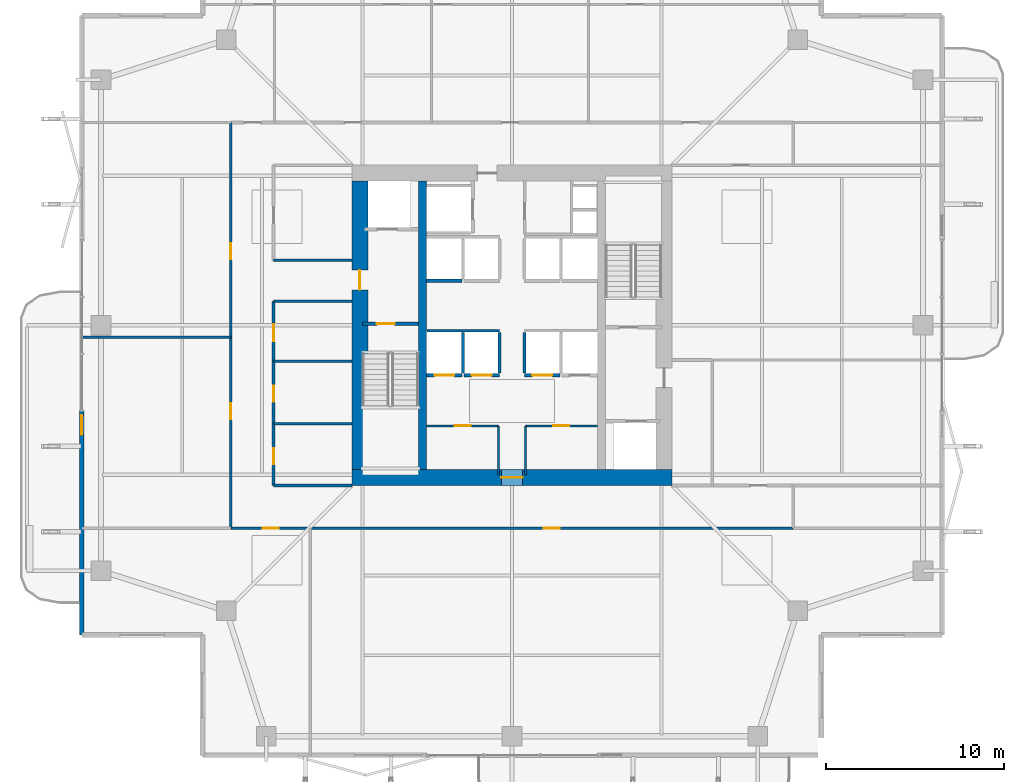
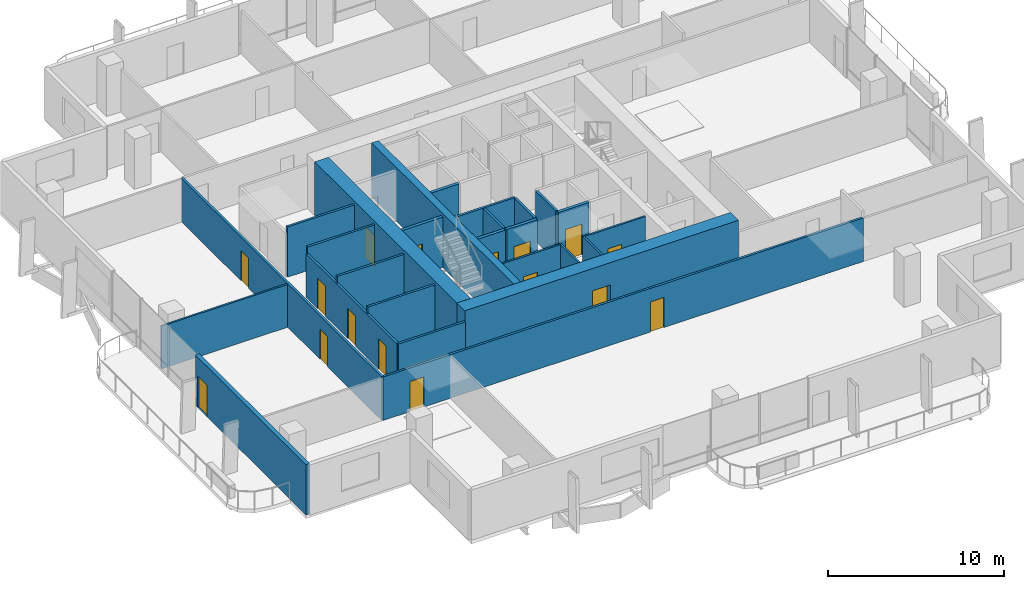
# One storey, part 18 of 24: 26 walls, 16 doors, 16 openings.
"""IFC4 building model written with IfcOpenShell, lengths in metres."""

from ifc_helpers import new_model, si_unit, direction, frame, frame_2d, origin, place, context, subcontext, project, spatial, rectangle, extrude, material, layer, layer_set, type_object, element, fill, save


model = new_model("IFC4")

# Units and contexts
model_context = context("Model", 3, precision=1e-05, world=origin(), true_north=direction((0.0, 1.0)))
body_context = subcontext(model_context, "Body", "Model", "MODEL_VIEW")
ifc_project = project(units=[si_unit("LENGTHUNIT", "METRE"), si_unit("AREAUNIT", "SQUARE_METRE"), si_unit("VOLUMEUNIT", "CUBIC_METRE"), si_unit("PLANEANGLEUNIT", "RADIAN"), si_unit("MASSUNIT", "GRAM", prefix="KILO")], contexts=[model_context])

# Site, building, storey
site_placement = place(None, origin())
site = spatial("IfcSite", under=ifc_project, at=site_placement, CompositionType="ELEMENT")
building_placement = place(site_placement, origin())
building = spatial("IfcBuilding", under=site, at=building_placement, Name="Belovzor Exchange Tower", CompositionType="ELEMENT")
storey_placement = place(building_placement, frame((0.0, 0.0, 145.800048828125)))
storey = spatial("IfcBuildingStorey", under=building, at=storey_placement, Name="L35", CompositionType="ELEMENT", Elevation=145.800048828125)

# Wall
ifc_material_1 = material(Name="Acoustic Plasterboard on Galvanised Studs", Category="gypsum")
ifc_layer_1 = layer(ifc_material_1, 0.1201171875)
ifc_layer_set_1 = layer_set([ifc_layer_1], Name="Acoustic Plasterboard on Galvanised Studs")
wall_type_1 = type_object("IfcWallType", Name="Acoustic Double-Stud Partition Wall 120", PredefinedType="PARTITIONING", material=ifc_layer_set_1)
wall_1_placement = place(storey_placement, frame((4.6298828125, 28.1298828125, 0.0), z_axis=(0.0, 0.0, 1.0), x_axis=(1.0, 0.0, 0.0)))
element("IfcWall", 1, at=wall_1_placement, inside=storey, type_object=wall_type_1, Name="W-P120 Partition Wall W-L35-WDIV-1", PredefinedType="PARTITIONING", context=body_context, shape_type="SweptSolid", body=[
    extrude(rectangle(XDim=8.3701171875, YDim=0.1201171875, at=frame_2d((4.18505859375, 0.0))), origin(), (0.0, 0.0, 1.0), 2.97998046875),
])

# Wall, opening, door
ifc_material_2 = material(Name="Fire-Rated Plasterboard on Galvanised Studs", Category="gypsum")
ifc_layer_2 = layer(ifc_material_2, 0.1201171875)
ifc_layer_set_2 = layer_set([ifc_layer_2], Name="Fire-Rated Plasterboard on Galvanised Studs")
wall_type_2 = type_object("IfcWallType", Name="Fire-Rated Double-Stud Partition Wall 120", PredefinedType="PARTITIONING", material=ifc_layer_set_2)
wall_2_placement = place(storey_placement, frame((24.0, 23.14990234375, 0.0), z_axis=(0.0, 0.0, 1.0), x_axis=(1.0, 0.0, 0.0)))
wall_2 = element("IfcWall", 2, at=wall_2_placement, inside=storey, type_object=wall_type_2, Name="W-P120F Partition Wall W-CRL-L35-WN", PredefinedType="PARTITIONING", context=body_context, shape_type="SweptSolid", body=[
    extrude(rectangle(XDim=4.050048828125, YDim=0.1201171875, at=frame_2d((2.02490234375, 0.0))), origin(), (0.0, 0.0, 1.0), 3.494873046875),
])
opening_1_placement = place(wall_2_placement, frame((1.574951171875, 0.0, 0.0)))
opening_1 = element("IfcOpeningElement", 3, at=opening_1_placement, cuts=wall_2, Name="Opening D-FD60-090", PredefinedType="OPENING", context=body_context, shape_type="SweptSolid", body=[
    extrude(rectangle(XDim=0.89990234375, YDim=2.10009765625, at=frame_2d((0.449951171875, 1.050048828125))), frame((0.0, 0.070068359375, 0.0), z_axis=(0.0, -1.0, 0.0), x_axis=(1.0, 0.0, 0.0)), (0.0, 0.0, 1.0), 0.14013671875),
])
ifc_material_3 = material(Name="Acoustic Timber Fire Leaf", Category="wood")
door_type_1 = type_object("IfcDoorType", Name="Core Service & Restroom Fire Door 900x2100", OperationType="NOTDEFINED", PredefinedType="DOOR", material=ifc_material_3)
door_1_placement = place(opening_1_placement, origin())
door_1 = element("IfcDoor", 4, at=door_1_placement, inside=storey, type_object=door_type_1, Name="D-FD60-090 Core Service & Restroom Fire Door 900x2100", OperationType="SINGLE_SWING_LEFT", OverallHeight=2.10009765625, OverallWidth=0.89990234375, PredefinedType="DOOR", context=body_context, shape_type="SweptSolid", body=[
    extrude(rectangle(XDim=0.89990234375, YDim=2.10009765625, at=frame_2d((0.449951171875, 1.050048828125))), frame((0.0, 0.02490234375, 0.0), z_axis=(0.0, -1.0, 0.0), x_axis=(1.0, 0.0, 0.0)), (0.0, 0.0, 1.0), 0.050048828125),
])
fill(opening_1, door_1)

# Wall
wall_3_placement = place(storey_placement, frame((28.050048828125, 20.39990234375, 0.0), z_axis=(0.0, 0.0, 1.0), x_axis=(0.0, 1.0, 0.0)))
element("IfcWall", 5, at=wall_3_placement, inside=storey, type_object=wall_type_2, Name="W-P120F Partition Wall W-CRL-L35-WE", PredefinedType="PARTITIONING", context=body_context, shape_type="SweptSolid", body=[
    extrude(rectangle(XDim=2.75, YDim=0.1201171875, at=frame_2d((1.375, 0.0))), origin(), (0.0, 0.0, 1.0), 3.494873046875),
])

# Wall, opening, door
wall_4_placement = place(storey_placement, frame((29.550048828125, 23.14990234375, 0.0), z_axis=(0.0, 0.0, 1.0), x_axis=(1.0, 0.0, 0.0)))
wall_4 = element("IfcWall", 6, at=wall_4_placement, inside=storey, type_object=wall_type_2, Name="W-P120F Partition Wall W-CRL-L35-EN", PredefinedType="PARTITIONING", context=body_context, shape_type="SweptSolid", body=[
    extrude(rectangle(XDim=4.050048828125, YDim=0.1201171875, at=frame_2d((2.02490234375, 0.0))), origin(), (0.0, 0.0, 1.0), 3.494873046875),
])
opening_2_placement = place(wall_4_placement, frame((1.574951171875, 0.0, 0.0)))
opening_2 = element("IfcOpeningElement", 7, at=opening_2_placement, cuts=wall_4, Name="Opening D-FD60-090", PredefinedType="OPENING", context=body_context, shape_type="SweptSolid", body=[
    extrude(rectangle(XDim=0.89990234375, YDim=2.10009765625, at=frame_2d((0.449951171875, 1.050048828125))), frame((0.0, 0.070068359375, 0.0), z_axis=(0.0, -1.0, 0.0), x_axis=(1.0, 0.0, 0.0)), (0.0, 0.0, 1.0), 0.14013671875),
])
door_2_placement = place(opening_2_placement, origin())
door_2 = element("IfcDoor", 8, at=door_2_placement, inside=storey, type_object=door_type_1, Name="D-FD60-090 Core Service & Restroom Fire Door 900x2100", OperationType="SINGLE_SWING_RIGHT", OverallHeight=2.10009765625, OverallWidth=0.89990234375, PredefinedType="DOOR", context=body_context, shape_type="SweptSolid", body=[
    extrude(rectangle(XDim=0.89990234375, YDim=2.10009765625, at=frame_2d((0.449951171875, 1.050048828125))), frame((0.0, 0.02490234375, 0.0), z_axis=(0.0, -1.0, 0.0), x_axis=(1.0, 0.0, 0.0)), (0.0, 0.0, 1.0), 0.050048828125),
])
fill(opening_2, door_2)

# Walls
wall_5_placement = place(storey_placement, frame((29.550048828125, 20.39990234375, 0.0), z_axis=(0.0, 0.0, 1.0), x_axis=(0.0, 1.0, 0.0)))
element("IfcWall", 9, at=wall_5_placement, inside=storey, type_object=wall_type_2, Name="W-P120F Partition Wall W-CRL-L35-EW", PredefinedType="PARTITIONING", context=body_context, shape_type="SweptSolid", body=[
    extrude(rectangle(XDim=2.75, YDim=0.1201171875, at=frame_2d((1.375, 0.0))), origin(), (0.0, 0.0, 1.0), 3.494873046875),
])
ifc_material_4 = material(Name="Fire-Rated Gypsum Block and Mineral Wool", Category="gypsum")
ifc_layer_3 = layer(ifc_material_4, 0.14990234375)
ifc_layer_set_3 = layer_set([ifc_layer_3], Name="Fire-Rated Gypsum Block and Mineral Wool")
wall_type_3 = type_object("IfcWallType", Name="Fire-Rated Gypsum Block Corridor Wall 150", PredefinedType="PARTITIONING", material=ifc_layer_set_3)
wall_6_placement = place(storey_placement, frame((15.39990234375, 19.800048828125, 0.0), z_axis=(0.0, 0.0, 1.0), x_axis=(1.0, 0.0, 0.0)))
element("IfcWall", 10, at=wall_6_placement, inside=storey, type_object=wall_type_3, Name="W-P150 Partition Wall W-L35-WIC-S", PredefinedType="PARTITIONING", context=body_context, shape_type="SweptSolid", body=[
    extrude(rectangle(XDim=4.400146484375, YDim=0.14990234375, at=frame_2d((2.2001953125, 0.0))), origin(), (0.0, 0.0, 1.0), 3.030029296875),
])
for number, where, z_axis, x_axis, name in (
    (11, (15.39990234375, 23.27490234375, 0.0), (0.0, 0.0, 1.0), (1.0, 0.0, 0.0), "W-P150 Partition Wall W-L35-WIC-D1"),
    (12, (15.39990234375, 26.77490234375, 0.0), (0.0, 0.0, 1.0), (1.0, 0.0, 0.0), "W-P150 Partition Wall W-L35-WIC-D2"),
    (13, (15.39990234375, 30.14990234375, 0.0), (0.0, 0.0, 1.0), (1.0, 0.0, 0.0), "W-P150 Partition Wall W-L35-WIC-N"),
    (14, (15.39990234375, 32.449951171875, 0.0), (0.0, 0.0, 1.0), (1.0, 0.0, 0.0), "W-P150 Partition Wall W-L35-CFW-N"),
):
    element("IfcWall", number, at=place(storey_placement, frame(where, z_axis=z_axis, x_axis=x_axis)), inside=storey, type_object=wall_type_3, Name=name, PredefinedType="PARTITIONING", context=body_context, shape_type="SweptSolid", body=[
        extrude(rectangle(XDim=4.400146484375, YDim=0.14990234375, at=frame_2d((2.2001953125, 0.0))), origin(), (0.0, 0.0, 1.0), 3.494873046875),
    ])

# Wall, openings, doors
wall_7_placement = place(storey_placement, frame((15.39990234375, 19.800048828125, 0.0), z_axis=(0.0, 0.0, 1.0), x_axis=(0.0, 1.0, 0.0)))
wall_7 = element("IfcWall", 15, at=wall_7_placement, inside=storey, type_object=wall_type_3, Name="W-P150 Partition Wall W-L35-WIE-S", PredefinedType="PARTITIONING", context=body_context, shape_type="SweptSolid", body=[
    extrude(rectangle(XDim=10.349853515625, YDim=0.14990234375, at=frame_2d((5.1748046875, 0.0))), origin(), (0.0, 0.0, 1.0), 3.030029296875),
])
opening_3_placement = place(wall_7_placement, frame((1.199951171875, 0.0, 0.0)))
opening_3 = element("IfcOpeningElement", 16, at=opening_3_placement, cuts=wall_7, Name="Opening D-FD60-090", PredefinedType="OPENING", context=body_context, shape_type="SweptSolid", body=[
    extrude(rectangle(XDim=0.89990234375, YDim=2.10009765625, at=frame_2d((0.449951171875, 1.050048828125))), frame((0.0, 0.0849609375, 0.0), z_axis=(0.0, -1.0, 0.0), x_axis=(1.0, 0.0, 0.0)), (0.0, 0.0, 1.0), 0.169921875),
])
opening_4_placement = place(wall_7_placement, frame((4.699951171875, 0.0, 0.0)))
opening_4 = element("IfcOpeningElement", 17, at=opening_4_placement, cuts=wall_7, Name="Opening D-FD60-090", PredefinedType="OPENING", context=body_context, shape_type="SweptSolid", body=[
    extrude(rectangle(XDim=0.89990234375, YDim=2.10009765625, at=frame_2d((0.449951171875, 1.050048828125))), frame((0.0, 0.0849609375, 0.0), z_axis=(0.0, -1.0, 0.0), x_axis=(1.0, 0.0, 0.0)), (0.0, 0.0, 1.0), 0.169921875),
])
opening_5_placement = place(wall_7_placement, frame((8.10009765625, 0.0, 0.0)))
opening_5 = element("IfcOpeningElement", 18, at=opening_5_placement, cuts=wall_7, Name="Opening D-FD60-095", PredefinedType="OPENING", context=body_context, shape_type="SweptSolid", body=[
    extrude(rectangle(XDim=0.949951171875, YDim=2.10009765625, at=frame_2d((0.47509765625, 1.050048828125))), frame((0.0, 0.0849609375, 0.0), z_axis=(0.0, -1.0, 0.0), x_axis=(1.0, 0.0, 0.0)), (0.0, 0.0, 1.0), 0.169921875),
])
ifc_material_5 = material(Name="Moisture-Resistant Timber Fire Leaf", Category="wood")
door_type_2 = type_object("IfcDoorType", Name="Accessible Restroom Wide Fire Door 950x2100", OperationType="NOTDEFINED", PredefinedType="DOOR", material=ifc_material_5)
door_3_placement = place(opening_5_placement, origin())
door_3 = element("IfcDoor", 19, at=door_3_placement, inside=storey, type_object=door_type_2, Name="D-FD60-095 Accessible Restroom Wide Fire Door 950x2100", OperationType="SINGLE_SWING_LEFT", OverallHeight=2.10009765625, OverallWidth=0.949951171875, PredefinedType="DOOR", context=body_context, shape_type="SweptSolid", body=[
    extrude(rectangle(XDim=0.949951171875, YDim=2.10009765625, at=frame_2d((0.47509765625, 1.050048828125))), frame((0.0, 0.02490234375, 0.0), z_axis=(0.0, -1.0, 0.0), x_axis=(1.0, 0.0, 0.0)), (0.0, 0.0, 1.0), 0.050048828125),
])
fill(opening_5, door_3)
door_4_placement = place(opening_3_placement, origin())
door_4 = element("IfcDoor", 20, at=door_4_placement, inside=storey, type_object=door_type_1, Name="D-FD60-090 Core Service & Restroom Fire Door 900x2100", OperationType="SINGLE_SWING_LEFT", OverallHeight=2.10009765625, OverallWidth=0.89990234375, PredefinedType="DOOR", context=body_context, shape_type="SweptSolid", body=[
    extrude(rectangle(XDim=0.89990234375, YDim=2.10009765625, at=frame_2d((0.449951171875, 1.050048828125))), frame((0.0, 0.02490234375, 0.0), z_axis=(0.0, -1.0, 0.0), x_axis=(1.0, 0.0, 0.0)), (0.0, 0.0, 1.0), 0.050048828125),
])
fill(opening_3, door_4)
door_5_placement = place(opening_4_placement, origin())
door_5 = element("IfcDoor", 21, at=door_5_placement, inside=storey, type_object=door_type_1, Name="D-FD60-090 Core Service & Restroom Fire Door 900x2100", OperationType="SINGLE_SWING_RIGHT", OverallHeight=2.10009765625, OverallWidth=0.89990234375, PredefinedType="DOOR", context=body_context, shape_type="SweptSolid", body=[
    extrude(rectangle(XDim=0.89990234375, YDim=2.10009765625, at=frame_2d((0.449951171875, 1.050048828125))), frame((0.0, 0.02490234375, 0.0), z_axis=(0.0, -1.0, 0.0), x_axis=(1.0, 0.0, 0.0)), (0.0, 0.0, 1.0), 0.050048828125),
])
fill(opening_4, door_5)

wall_8_placement = place(storey_placement, frame((13.0, 17.39990234375, 0.0), z_axis=(0.0, 0.0, 1.0), x_axis=(1.0, 0.0, 0.0)))
wall_8 = element("IfcWall", 22, at=wall_8_placement, inside=storey, type_object=wall_type_3, Name="W-P150 Partition Wall W-L35-CS", PredefinedType="PARTITIONING", context=body_context, shape_type="SweptSolid", body=[
    extrude(rectangle(XDim=31.60009765625, YDim=0.14990234375, at=frame_2d((15.800048828125, 0.0))), origin(), (0.0, 0.0, 1.0), 3.030029296875),
])
opening_6_placement = place(wall_8_placement, frame((1.780029296875, 0.0, 0.0)))
opening_6 = element("IfcOpeningElement", 23, at=opening_6_placement, cuts=wall_8, Name="Opening D-INT-090", PredefinedType="OPENING", context=body_context, shape_type="SweptSolid", body=[
    extrude(rectangle(XDim=0.89990234375, YDim=2.10009765625, at=frame_2d((0.449951171875, 1.050048828125))), frame((0.0, 0.0849609375, 0.0), z_axis=(0.0, -1.0, 0.0), x_axis=(1.0, 0.0, 0.0)), (0.0, 0.0, 1.0), 0.169921875),
])
opening_7_placement = place(wall_8_placement, frame((17.580078125, 0.0, 0.0)))
opening_7 = element("IfcOpeningElement", 24, at=opening_7_placement, cuts=wall_8, Name="Opening D-INT-090", PredefinedType="OPENING", context=body_context, shape_type="SweptSolid", body=[
    extrude(rectangle(XDim=0.89990234375, YDim=2.10009765625, at=frame_2d((0.449951171875, 1.050048828125))), frame((0.0, 0.0849609375, 0.0), z_axis=(0.0, -1.0, 0.0), x_axis=(1.0, 0.0, 0.0)), (0.0, 0.0, 1.0), 0.169921875),
])
ifc_material_6 = material(Name="Veneered Hardwood Acoustic Leaf", Category="wood")
door_type_3 = type_object("IfcDoorType", Name="Trading Suite Acoustic Single Door 900x2100", OperationType="NOTDEFINED", PredefinedType="DOOR", material=ifc_material_6)
door_6_placement = place(opening_6_placement, origin())
door_6 = element("IfcDoor", 25, at=door_6_placement, inside=storey, type_object=door_type_3, Name="D-INT-090 Trading Suite Acoustic Single Door 900x2100", OperationType="SINGLE_SWING_LEFT", OverallHeight=2.10009765625, OverallWidth=0.89990234375, PredefinedType="DOOR", context=body_context, shape_type="SweptSolid", body=[
    extrude(rectangle(XDim=0.89990234375, YDim=2.10009765625, at=frame_2d((0.449951171875, 1.050048828125))), frame((0.0, 0.02490234375, 0.0), z_axis=(0.0, -1.0, 0.0), x_axis=(1.0, 0.0, 0.0)), (0.0, 0.0, 1.0), 0.050048828125),
])
fill(opening_6, door_6)
door_7_placement = place(opening_7_placement, origin())
door_7 = element("IfcDoor", 26, at=door_7_placement, inside=storey, type_object=door_type_3, Name="D-INT-090 Trading Suite Acoustic Single Door 900x2100", OperationType="SINGLE_SWING_RIGHT", OverallHeight=2.10009765625, OverallWidth=0.89990234375, PredefinedType="DOOR", context=body_context, shape_type="SweptSolid", body=[
    extrude(rectangle(XDim=0.89990234375, YDim=2.10009765625, at=frame_2d((0.449951171875, 1.050048828125))), frame((0.0, 0.02490234375, 0.0), z_axis=(0.0, -1.0, 0.0), x_axis=(1.0, 0.0, 0.0)), (0.0, 0.0, 1.0), 0.050048828125),
])
fill(opening_7, door_7)

wall_9_placement = place(storey_placement, frame((13.0, 17.39990234375, 0.0), z_axis=(0.0, 0.0, 1.0), x_axis=(0.0, 1.0, 0.0)))
wall_9 = element("IfcWall", 27, at=wall_9_placement, inside=storey, type_object=wall_type_3, Name="W-P150 Partition Wall W-L35-CWO", PredefinedType="PARTITIONING", context=body_context, shape_type="SweptSolid", body=[
    extrude(rectangle(XDim=22.800048828125, YDim=0.14990234375, at=frame_2d((11.39990234375, 0.0))), origin(), (0.0, 0.0, 1.0), 3.030029296875),
])
opening_8_placement = place(wall_9_placement, frame((6.114990234375, 0.0, 0.0)))
opening_8 = element("IfcOpeningElement", 28, at=opening_8_placement, cuts=wall_9, Name="Opening D-INT-090", PredefinedType="OPENING", context=body_context, shape_type="SweptSolid", body=[
    extrude(rectangle(XDim=0.89990234375, YDim=2.10009765625, at=frame_2d((0.449951171875, 1.050048828125))), frame((0.0, 0.0849609375, 0.0), z_axis=(0.0, -1.0, 0.0), x_axis=(1.0, 0.0, 0.0)), (0.0, 0.0, 1.0), 0.169921875),
])
opening_9_placement = place(wall_9_placement, frame((15.114990234375, 0.0, 0.0)))
opening_9 = element("IfcOpeningElement", 29, at=opening_9_placement, cuts=wall_9, Name="Opening D-INT-090", PredefinedType="OPENING", context=body_context, shape_type="SweptSolid", body=[
    extrude(rectangle(XDim=0.89990234375, YDim=2.10009765625, at=frame_2d((0.449951171875, 1.050048828125))), frame((0.0, 0.0849609375, 0.0), z_axis=(0.0, -1.0, 0.0), x_axis=(1.0, 0.0, 0.0)), (0.0, 0.0, 1.0), 0.169921875),
])
door_8_placement = place(opening_8_placement, origin())
door_8 = element("IfcDoor", 30, at=door_8_placement, inside=storey, type_object=door_type_3, Name="D-INT-090 Trading Suite Acoustic Single Door 900x2100", OperationType="SINGLE_SWING_LEFT", OverallHeight=2.10009765625, OverallWidth=0.89990234375, PredefinedType="DOOR", context=body_context, shape_type="SweptSolid", body=[
    extrude(rectangle(XDim=0.89990234375, YDim=2.10009765625, at=frame_2d((0.449951171875, 1.050048828125))), frame((0.0, 0.02490234375, 0.0), z_axis=(0.0, -1.0, 0.0), x_axis=(1.0, 0.0, 0.0)), (0.0, 0.0, 1.0), 0.050048828125),
])
fill(opening_8, door_8)
door_9_placement = place(opening_9_placement, origin())
door_9 = element("IfcDoor", 31, at=door_9_placement, inside=storey, type_object=door_type_3, Name="D-INT-090 Trading Suite Acoustic Single Door 900x2100", OperationType="SINGLE_SWING_LEFT", OverallHeight=2.10009765625, OverallWidth=0.89990234375, PredefinedType="DOOR", context=body_context, shape_type="SweptSolid", body=[
    extrude(rectangle(XDim=0.89990234375, YDim=2.10009765625, at=frame_2d((0.449951171875, 1.050048828125))), frame((0.0, 0.02490234375, 0.0), z_axis=(0.0, -1.0, 0.0), x_axis=(1.0, 0.0, 0.0)), (0.0, 0.0, 1.0), 0.050048828125),
])
fill(opening_9, door_9)

# Wall, opening, door
ifc_material_7 = material(Name="Precast concrete C40/50", Category="concrete")
ifc_layer_4 = layer(ifc_material_7, 0.260009765625)
ifc_layer_set_4 = layer_set([ifc_layer_4], Name="Precast concrete C40/50")
wall_type_4 = type_object("IfcWallType", Name="Precast Concrete Perimeter Loggia Frame Wall 260", PredefinedType="SOLIDWALL", material=ifc_layer_set_4)
wall_10_placement = place(storey_placement, frame((4.6298828125, 11.39990234375, 0.0), z_axis=(0.0, 0.0, 1.0), x_axis=(0.0, 1.0, 0.0)))
wall_10 = element("IfcWall", 32, at=wall_10_placement, inside=storey, type_object=wall_type_4, Name="W-EXT260 Precast Concrete Perimeter Loggia Frame Wall 260 L35", PredefinedType="SOLIDWALL", context=body_context, shape_type="SweptSolid", body=[
    extrude(rectangle(XDim=12.60009765625, YDim=0.260009765625, at=frame_2d((6.300048828125, 0.0))), origin(), (0.0, 0.0, 1.0), 3.494873046875),
])
opening_10_placement = place(wall_10_placement, frame((11.25, 0.0, 0.0)))
opening_10 = element("IfcOpeningElement", 33, at=opening_10_placement, cuts=wall_10, Name="Opening D-BAL110", PredefinedType="OPENING", context=body_context, shape_type="SweptSolid", body=[
    extrude(rectangle(XDim=1.10009765625, YDim=2.199951171875, at=frame_2d((0.550048828125, 1.10009765625))), frame((0.0, 0.139892578125, 0.0), z_axis=(0.0, -1.0, 0.0), x_axis=(1.0, 0.0, 0.0)), (0.0, 0.0, 1.0), 0.280029296875),
])
ifc_material_8 = material(Name="Thermally Broken Anodised Aluminium and Laminated Glass", Category="aluminium")
door_type_4 = type_object("IfcDoorType", Name="Planted Loggia Terrace Glazed Door 1100x2200", OperationType="SINGLE_SWING_LEFT", PredefinedType="DOOR", material=ifc_material_8)
door_10_placement = place(opening_10_placement, origin())
door_10 = element("IfcDoor", 34, at=door_10_placement, inside=storey, type_object=door_type_4, Name="D-BAL110 Balcony Terrace Door L35 W", OperationType="SINGLE_SWING_RIGHT", OverallHeight=2.199951171875, OverallWidth=1.10009765625, PredefinedType="DOOR", context=body_context, shape_type="SweptSolid", body=[
    extrude(rectangle(XDim=1.10009765625, YDim=2.199951171875, at=frame_2d((0.550048828125, 1.10009765625))), frame((0.0, 0.02490234375, 0.0), z_axis=(0.0, -1.0, 0.0), x_axis=(1.0, 0.0, 0.0)), (0.0, 0.0, 1.0), 0.050048828125),
])
fill(opening_10, door_10)

# Walls
ifc_material_9 = material(Name="Concrete C50/60", Category="concrete")
ifc_layer_5 = layer(ifc_material_9, 0.449951171875)
ifc_layer_set_5 = layer_set([ifc_layer_5], Name="Concrete C50/60")
wall_type_5 = type_object("IfcWallType", Name="Reinforced Concrete Core Internal Web Wall 450", PredefinedType="SHEAR", material=ifc_layer_set_5)
wall_11_placement = place(storey_placement, frame((23.77490234375, 20.699951171875, 0.0), z_axis=(0.0, 0.0, 1.0), x_axis=(0.0, 1.0, 0.0)))
element("IfcWall", 35, at=wall_11_placement, inside=storey, type_object=wall_type_5, Name="CW-W045 Core Internal Web Wall L35 WL", PredefinedType="SHEAR", context=body_context, shape_type="SweptSolid", body=[
    extrude(rectangle(XDim=16.199951171875, YDim=0.449951171875, at=frame_2d((8.10009765625, 0.0))), origin(), (0.0, 0.0, 1.0), 3.75),
])
ifc_material_10 = material(Name="Concrete C50/60", Category="concrete")
ifc_layer_6 = layer(ifc_material_10, 0.14990234375)
ifc_layer_set_6 = layer_set([ifc_layer_6], Name="Concrete C50/60")
wall_type_6 = type_object("IfcWallType", Name="Reinforced Concrete Core Riser Shear Wall 150", PredefinedType="SHEAR", material=ifc_layer_set_6)
wall_12_placement = place(storey_placement, frame((24.02001953125, 28.5, 0.0), z_axis=(0.0, 0.0, 1.0), x_axis=(1.0, 0.0, 0.0)))
element("IfcWall", 36, at=wall_12_placement, inside=storey, type_object=wall_type_6, Name="W-C150S Core Shaft Wall W-SHB-L35-PLM-NW", PredefinedType="SHEAR", context=body_context, shape_type="SweptSolid", body=[
    extrude(rectangle(XDim=4.080078125, YDim=0.14990234375, at=frame_2d((2.0400390625, 0.0))), origin(), (0.0, 0.0, 1.0), 3.494873046875),
])
for number, where, z_axis, x_axis, name in (
    (37, (26.050048828125, 26.1201171875, 0.0), (0.0, 0.0, 1.0), (0.0, 1.0, 0.0), "W-C150S Core Shaft Wall W-SHD-L35-PLM-1"),
    (38, (28.10009765625, 26.1201171875, 0.0), (0.0, 0.0, 1.0), (0.0, 1.0, 0.0), "W-C150S Core Shaft Wall W-SHD-L35-PLM-2"),
    (39, (29.5, 26.1201171875, 0.0), (0.0, 0.0, 1.0), (0.0, 1.0, 0.0), "W-C150S Core Shaft Wall W-SHD-L35-PLM-3"),
):
    element("IfcWall", number, at=place(storey_placement, frame(where, z_axis=z_axis, x_axis=x_axis)), inside=storey, type_object=wall_type_6, Name=name, PredefinedType="SHEAR", context=body_context, shape_type="SweptSolid", body=[
        extrude(rectangle(XDim=2.27978515625, YDim=0.14990234375, at=frame_2d((1.139892578125, 0.0))), origin(), (0.0, 0.0, 1.0), 3.494873046875),
    ])

# Wall, opening, door
ifc_material_11 = material(Name="Concrete C50/60", Category="concrete")
ifc_layer_7 = layer(ifc_material_11, 0.199951171875)
ifc_layer_set_7 = layer_set([ifc_layer_7], Name="Concrete C50/60")
wall_type_7 = type_object("IfcWallType", Name="Reinforced Concrete Core Shaft Shear Wall 200", PredefinedType="SHEAR", material=ifc_layer_set_7)
wall_13_placement = place(storey_placement, frame((20.39990234375, 28.89990234375, 0.0), z_axis=(0.0, 0.0, 1.0), x_axis=(1.0, 0.0, 0.0)))
wall_13 = element("IfcWall", 40, at=wall_13_placement, inside=storey, type_object=wall_type_7, Name="W-C200S Core Shaft Wall W-CORE-L35-FFLW1", PredefinedType="SHEAR", context=body_context, shape_type="SweptSolid", body=[
    extrude(rectangle(XDim=3.150146484375, YDim=0.199951171875, at=frame_2d((1.5751953125, 0.0))), origin(), (0.0, 0.0, 1.0), 3.494873046875),
])
opening_11_placement = place(wall_13_placement, frame((0.800048828125, 0.0, 0.0)))
opening_11 = element("IfcOpeningElement", 41, at=opening_11_placement, cuts=wall_13, Name="Opening D-FD90-100", PredefinedType="OPENING", context=body_context, shape_type="SweptSolid", body=[
    extrude(rectangle(XDim=1.0, YDim=2.10009765625, at=frame_2d((0.5, 1.050048828125))), frame((0.0, 0.10986328125, 0.0), z_axis=(0.0, -1.0, 0.0), x_axis=(1.0, 0.0, 0.0)), (0.0, 0.0, 1.0), 0.219970703125),
])
ifc_material_12 = material(Name="Fire-Rated Galvanised Steel Leaf", Category="steel")
door_type_5 = type_object("IfcDoorType", Name="Protected Stairwell Single Fire Door 1000x2100", OperationType="NOTDEFINED", PredefinedType="DOOR", material=ifc_material_12)
door_11_placement = place(opening_11_placement, origin())
door_11 = element("IfcDoor", 42, at=door_11_placement, inside=storey, type_object=door_type_5, Name="D-FD90-100 Protected Stairwell Single Fire Door 1000x2100", OperationType="SINGLE_SWING_RIGHT", OverallHeight=2.10009765625, OverallWidth=1.0, PredefinedType="DOOR", context=body_context, shape_type="SweptSolid", body=[
    extrude(rectangle(XDim=1.0, YDim=2.10009765625, at=frame_2d((0.5, 1.050048828125))), frame((0.0, 0.02490234375, 0.0), z_axis=(0.0, -1.0, 0.0), x_axis=(1.0, 0.0, 0.0)), (0.0, 0.0, 1.0), 0.050048828125),
])
fill(opening_11, door_11)

wall_14_placement = place(storey_placement, frame((24.0, 26.0, 0.0), z_axis=(0.0, 0.0, 1.0), x_axis=(1.0, 0.0, 0.0)))
wall_14 = element("IfcWall", 43, at=wall_14_placement, inside=storey, type_object=wall_type_7, Name="W-C200S Core Shaft Wall W-SH-L35-PL-M1", PredefinedType="SHEAR", context=body_context, shape_type="SweptSolid", body=[
    extrude(rectangle(XDim=2.0, YDim=0.199951171875, at=frame_2d((1.0, 0.0))), origin(), (0.0, 0.0, 1.0), 3.494873046875),
])
opening_12_placement = place(wall_14_placement, frame((0.449951171875, 0.0, 0.0)))
opening_12 = element("IfcOpeningElement", 44, at=opening_12_placement, cuts=wall_14, Name="Opening LD-110", PredefinedType="OPENING", context=body_context, shape_type="SweptSolid", body=[
    extrude(rectangle(XDim=1.10009765625, YDim=2.14990234375, at=frame_2d((0.550048828125, 1.074951171875))), frame((0.0, 0.10986328125, 0.0), z_axis=(0.0, -1.0, 0.0), x_axis=(1.0, 0.0, 0.0)), (0.0, 0.0, 1.0), 0.219970703125),
])
ifc_material_13 = material(Name="Stainless Steel Grade 304", Category="steel")
door_type_6 = type_object("IfcDoorType", Name="Automated Stainless Steel Lift Landing Door 1100x2150", OperationType="SLIDING_TO_RIGHT", PredefinedType="DOOR", material=ifc_material_13)
door_12_placement = place(opening_12_placement, origin())
door_12 = element("IfcDoor", 45, at=door_12_placement, inside=storey, type_object=door_type_6, Name="LD-110 Automated Stainless Steel Lift Landing Door 1100x2150", OperationType="SLIDING_TO_RIGHT", OverallHeight=2.14990234375, OverallWidth=1.10009765625, PredefinedType="DOOR", context=body_context, shape_type="SweptSolid", body=[
    extrude(rectangle(XDim=1.10009765625, YDim=2.14990234375, at=frame_2d((0.550048828125, 1.074951171875))), frame((0.0, 0.02490234375, 0.0), z_axis=(0.0, -1.0, 0.0), x_axis=(1.0, 0.0, 0.0)), (0.0, 0.0, 1.0), 0.050048828125),
])
fill(opening_12, door_12)

wall_15_placement = place(storey_placement, frame((26.10009765625, 26.0, 0.0), z_axis=(0.0, 0.0, 1.0), x_axis=(1.0, 0.0, 0.0)))
wall_15 = element("IfcWall", 46, at=wall_15_placement, inside=storey, type_object=wall_type_7, Name="W-C200S Core Shaft Wall W-SH-L35-PL-M2", PredefinedType="SHEAR", context=body_context, shape_type="SweptSolid", body=[
    extrude(rectangle(XDim=2.0, YDim=0.199951171875, at=frame_2d((1.0, 0.0))), origin(), (0.0, 0.0, 1.0), 3.494873046875),
])
opening_13_placement = place(wall_15_placement, frame((0.449951171875, 0.0, 0.0)))
opening_13 = element("IfcOpeningElement", 47, at=opening_13_placement, cuts=wall_15, Name="Opening LD-110", PredefinedType="OPENING", context=body_context, shape_type="SweptSolid", body=[
    extrude(rectangle(XDim=1.10009765625, YDim=2.14990234375, at=frame_2d((0.550048828125, 1.074951171875))), frame((0.0, 0.10986328125, 0.0), z_axis=(0.0, -1.0, 0.0), x_axis=(1.0, 0.0, 0.0)), (0.0, 0.0, 1.0), 0.219970703125),
])
door_13_placement = place(opening_13_placement, origin())
door_13 = element("IfcDoor", 48, at=door_13_placement, inside=storey, type_object=door_type_6, Name="LD-110 Automated Stainless Steel Lift Landing Door 1100x2150", OperationType="SLIDING_TO_RIGHT", OverallHeight=2.14990234375, OverallWidth=1.10009765625, PredefinedType="DOOR", context=body_context, shape_type="SweptSolid", body=[
    extrude(rectangle(XDim=1.10009765625, YDim=2.14990234375, at=frame_2d((0.550048828125, 1.074951171875))), frame((0.0, 0.02490234375, 0.0), z_axis=(0.0, -1.0, 0.0), x_axis=(1.0, 0.0, 0.0)), (0.0, 0.0, 1.0), 0.050048828125),
])
fill(opening_13, door_13)

wall_16_placement = place(storey_placement, frame((29.5, 26.0, 0.0), z_axis=(0.0, 0.0, 1.0), x_axis=(1.0, 0.0, 0.0)))
wall_16 = element("IfcWall", 49, at=wall_16_placement, inside=storey, type_object=wall_type_7, Name="W-C200S Core Shaft Wall W-SH-L35-PL-M3", PredefinedType="SHEAR", context=body_context, shape_type="SweptSolid", body=[
    extrude(rectangle(XDim=2.0, YDim=0.199951171875, at=frame_2d((1.0, 0.0))), origin(), (0.0, 0.0, 1.0), 3.494873046875),
])
opening_14_placement = place(wall_16_placement, frame((0.449951171875, 0.0, 0.0)))
opening_14 = element("IfcOpeningElement", 50, at=opening_14_placement, cuts=wall_16, Name="Opening LD-110", PredefinedType="OPENING", context=body_context, shape_type="SweptSolid", body=[
    extrude(rectangle(XDim=1.10009765625, YDim=2.14990234375, at=frame_2d((0.550048828125, 1.074951171875))), frame((0.0, 0.10986328125, 0.0), z_axis=(0.0, -1.0, 0.0), x_axis=(1.0, 0.0, 0.0)), (0.0, 0.0, 1.0), 0.219970703125),
])
door_14_placement = place(opening_14_placement, origin())
door_14 = element("IfcDoor", 51, at=door_14_placement, inside=storey, type_object=door_type_6, Name="LD-110 Automated Stainless Steel Lift Landing Door 1100x2150", OperationType="SLIDING_TO_RIGHT", OverallHeight=2.14990234375, OverallWidth=1.10009765625, PredefinedType="DOOR", context=body_context, shape_type="SweptSolid", body=[
    extrude(rectangle(XDim=1.10009765625, YDim=2.14990234375, at=frame_2d((0.550048828125, 1.074951171875))), frame((0.0, 0.02490234375, 0.0), z_axis=(0.0, -1.0, 0.0), x_axis=(1.0, 0.0, 0.0)), (0.0, 0.0, 1.0), 0.050048828125),
])
fill(opening_14, door_14)

# Wall
wall_17_placement = place(storey_placement, frame((24.0, 31.300048828125, 0.0), z_axis=(0.0, 0.0, 1.0), x_axis=(1.0, 0.0, 0.0)))
element("IfcWall", 52, at=wall_17_placement, inside=storey, type_object=wall_type_7, Name="W-C200S Core Shaft Wall W-SH-L35-PL-H1", PredefinedType="SHEAR", context=body_context, shape_type="SweptSolid", body=[
    extrude(rectangle(XDim=2.0, YDim=0.199951171875, at=frame_2d((1.0, 0.0))), origin(), (0.0, 0.0, 1.0), 3.494873046875),
])

# Wall, opening, door
ifc_material_14 = material(Name="Concrete C60/75", Category="concrete")
ifc_layer_8 = layer(ifc_material_14, 0.89990234375)
ifc_layer_set_8 = layer_set([ifc_layer_8], Name="Concrete C60/75")
wall_type_8 = type_object("IfcWallType", Name="Reinforced Concrete Core Shear Wall 900", PredefinedType="SHEAR", material=ifc_layer_set_8)
wall_18_placement = place(storey_placement, frame((19.800048828125, 20.25, 0.0), z_axis=(0.0, 0.0, 1.0), x_axis=(1.0, 0.0, 0.0)))
wall_18 = element("IfcWall", 53, at=wall_18_placement, inside=storey, type_object=wall_type_8, Name="CW-S090 Core Shear Wall L35 S", PredefinedType="SHEAR", context=body_context, shape_type="SweptSolid", body=[
    extrude(rectangle(XDim=18.0, YDim=0.89990234375, at=frame_2d((9.0, 0.0))), origin(), (0.0, 0.0, 1.0), 3.75),
])
opening_15_placement = place(wall_18_placement, frame((8.39990234375, 0.0, 0.0)))
opening_15 = element("IfcOpeningElement", 54, at=opening_15_placement, cuts=wall_18, Name="Opening D-FD90-120", PredefinedType="OPENING", context=body_context, shape_type="SweptSolid", body=[
    extrude(rectangle(XDim=1.199951171875, YDim=2.199951171875, at=frame_2d((0.60009765625, 1.10009765625))), frame((0.0, 0.4599609375, 0.0), z_axis=(0.0, -1.0, 0.0), x_axis=(1.0, 0.0, 0.0)), (0.0, 0.0, 1.0), 0.919921875),
])
ifc_material_15 = material(Name="Fire-Rated Galvanised Steel Leaf", Category="steel")
door_type_7 = type_object("IfcDoorType", Name="Heavy Plant & Foyer Fire Door 1200x2200", OperationType="NOTDEFINED", PredefinedType="DOOR", material=ifc_material_15)
door_15_placement = place(opening_15_placement, origin())
door_15 = element("IfcDoor", 55, at=door_15_placement, inside=storey, type_object=door_type_7, Name="D-FD90-120 Heavy Plant & Foyer Fire Door 1200x2200", OperationType="SINGLE_SWING_LEFT", OverallHeight=2.199951171875, OverallWidth=1.199951171875, PredefinedType="DOOR", context=body_context, shape_type="SweptSolid", body=[
    extrude(rectangle(XDim=1.199951171875, YDim=2.199951171875, at=frame_2d((0.60009765625, 1.10009765625))), frame((0.0, 0.02490234375, 0.0), z_axis=(0.0, -1.0, 0.0), x_axis=(1.0, 0.0, 0.0)), (0.0, 0.0, 1.0), 0.050048828125),
])
fill(opening_15, door_15)

wall_19_placement = place(storey_placement, frame((20.25, 20.699951171875, 0.0), z_axis=(0.0, 0.0, 1.0), x_axis=(0.0, 1.0, 0.0)))
wall_19 = element("IfcWall", 56, at=wall_19_placement, inside=storey, type_object=wall_type_8, Name="CW-S090 Core Shear Wall L35 W", PredefinedType="SHEAR", context=body_context, shape_type="SweptSolid", body=[
    extrude(rectangle(XDim=16.199951171875, YDim=0.89990234375, at=frame_2d((8.10009765625, 0.0))), origin(), (0.0, 0.0, 1.0), 3.75),
])
opening_16_placement = place(wall_19_placement, frame((10.10009765625, 0.0, 0.0)))
opening_16 = element("IfcOpeningElement", 57, at=opening_16_placement, cuts=wall_19, Name="Opening D-FD90-110", PredefinedType="OPENING", context=body_context, shape_type="SweptSolid", body=[
    extrude(rectangle(XDim=1.10009765625, YDim=2.14990234375, at=frame_2d((0.550048828125, 1.074951171875))), frame((0.0, 0.4599609375, 0.0), z_axis=(0.0, -1.0, 0.0), x_axis=(1.0, 0.0, 0.0)), (0.0, 0.0, 1.0), 0.919921875),
])
ifc_material_16 = material(Name="Fire-Rated Galvanised Steel Leaf", Category="steel")
door_type_8 = type_object("IfcDoorType", Name="Protected Escape Vestibule Fire Door 1100x2150", OperationType="NOTDEFINED", PredefinedType="DOOR", material=ifc_material_16)
door_16_placement = place(opening_16_placement, origin())
door_16 = element("IfcDoor", 58, at=door_16_placement, inside=storey, type_object=door_type_8, Name="D-FD90-110 Protected Escape Vestibule Fire Door 1100x2150", OperationType="SINGLE_SWING_LEFT", OverallHeight=2.14990234375, OverallWidth=1.10009765625, PredefinedType="DOOR", context=body_context, shape_type="SweptSolid", body=[
    extrude(rectangle(XDim=1.10009765625, YDim=2.14990234375, at=frame_2d((0.550048828125, 1.074951171875))), frame((0.0, 0.02490234375, 0.0), z_axis=(0.0, -1.0, 0.0), x_axis=(1.0, 0.0, 0.0)), (0.0, 0.0, 1.0), 0.050048828125),
])
fill(opening_16, door_16)

save(model, "model.ifc")
